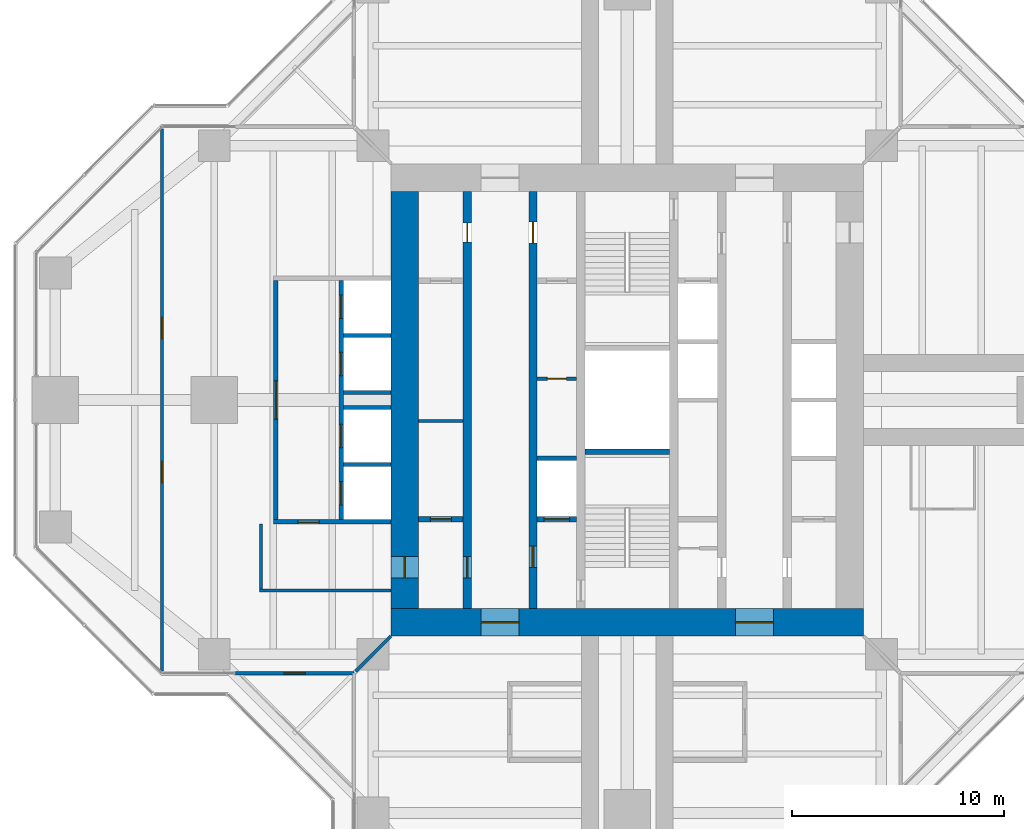
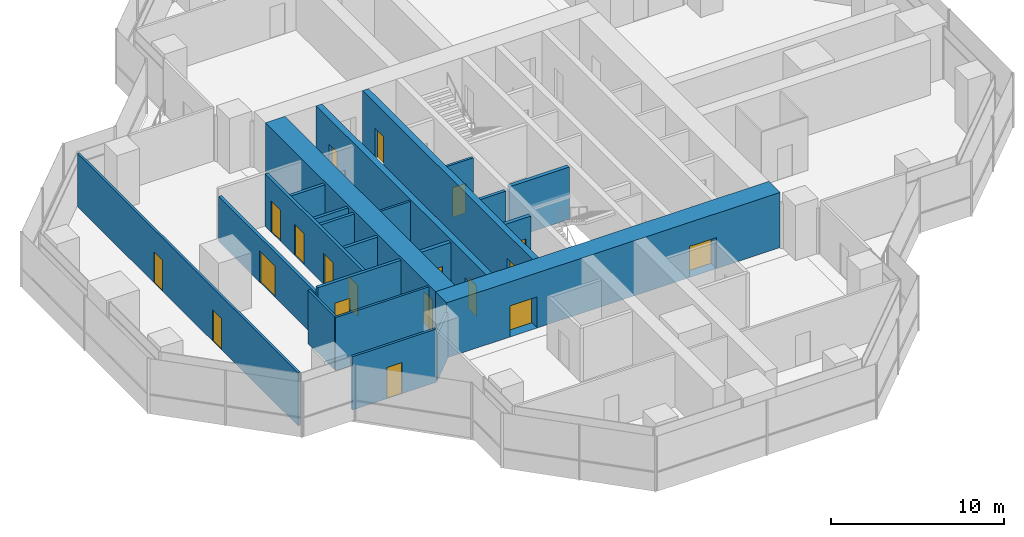
# One storey, part 13 of 17: 22 walls, 19 doors, 19 openings.
"""IFC4 building model written with IfcOpenShell, lengths in metres."""

from ifc_helpers import new_model, si_unit, direction, frame, frame_2d, origin, place, context, subcontext, project, spatial, rectangle, extrude, material, layer, layer_set, type_object, element, fill, save


model = new_model("IFC4")

# Units and contexts
model_context = context("Model", 3, precision=1e-05, world=origin(), true_north=direction((0.0, 1.0)))
body_context = subcontext(model_context, "Body", "Model", "MODEL_VIEW")
ifc_project = project(units=[si_unit("LENGTHUNIT", "METRE"), si_unit("AREAUNIT", "SQUARE_METRE"), si_unit("VOLUMEUNIT", "CUBIC_METRE"), si_unit("PLANEANGLEUNIT", "RADIAN"), si_unit("MASSUNIT", "GRAM", prefix="KILO")], contexts=[model_context])

# Site, building, storey
site_placement = place(None, origin())
site = spatial("IfcSite", under=ifc_project, at=site_placement, CompositionType="ELEMENT")
building_placement = place(site_placement, origin())
building = spatial("IfcBuilding", under=site, at=building_placement, Name="Mizan Broadcast Tower", CompositionType="ELEMENT")
storey_placement = place(building_placement, frame((0.0, 0.0, 216.60009765625)))
storey = spatial("IfcBuildingStorey", under=building, at=storey_placement, Name="L50", CompositionType="ELEMENT", Elevation=216.60009765625)

# Wall, openings, doors
ifc_material_1 = material(Name="Concrete C70/85", Category="concrete")
ifc_layer_1 = layer(ifc_material_1, 0.39990234375)
ifc_layer_set_1 = layer_set([ifc_layer_1], Name="Concrete C70/85")
wall_type_1 = type_object("IfcWallType", Name="CORE INTERNAL WALL 400", PredefinedType="SHEAR", material=ifc_layer_set_1)
wall_1_placement = place(storey_placement, frame((-7.550048828125, -9.85009765625, 0.0), z_axis=(0.0, 0.0, 1.0), x_axis=(0.0, 1.0, 0.0)))
wall_1 = element("IfcWall", 1, at=wall_1_placement, inside=storey, type_object=wall_type_1, Name="Core wall CORE/XW1", PredefinedType="SHEAR", context=body_context, shape_type="SweptSolid", body=[
    extrude(rectangle(XDim=19.7001953125, YDim=0.39990234375, at=frame_2d((9.85009765625, 0.0))), origin(), (0.0, 0.0, 1.0), 3.89990234375),
])
opening_1_placement = place(wall_1_placement, frame((1.449951171875, 0.0, 0.0)))
opening_1 = element("IfcOpeningElement", 2, at=opening_1_placement, cuts=wall_1, Name="Opening D10F", PredefinedType="OPENING", context=body_context, shape_type="SweptSolid", body=[
    extrude(rectangle(XDim=1.0, YDim=2.199951171875, at=frame_2d((0.5, 1.10009765625))), frame((0.0, 0.2099609375, 0.0), z_axis=(0.0, -1.0, 0.0), x_axis=(1.0, 0.0, 0.0)), (0.0, 0.0, 1.0), 0.419921875),
])
opening_2_placement = place(wall_1_placement, frame((17.300048828125, 0.0, 0.0)))
opening_2 = element("IfcOpeningElement", 3, at=opening_2_placement, cuts=wall_1, Name="Opening D09", PredefinedType="OPENING", context=body_context, shape_type="SweptSolid", body=[
    extrude(rectangle(XDim=0.89990234375, YDim=2.10009765625, at=frame_2d((0.449951171875, 1.050048828125))), frame((0.0, 0.2099609375, 0.0), z_axis=(0.0, -1.0, 0.0), x_axis=(1.0, 0.0, 0.0)), (0.0, 0.0, 1.0), 0.419921875),
])
ifc_material_2 = material(Name="Steel door leaf in steel frame", Category="steel")
door_type_1 = type_object("IfcDoorType", Name="FIRE DOOR 1000 FD90", OperationType="SINGLE_SWING_LEFT", PredefinedType="DOOR", material=ifc_material_2)
door_1_placement = place(opening_1_placement, origin())
door_1 = element("IfcDoor", 4, at=door_1_placement, inside=storey, type_object=door_type_1, Name="West core passage door", OperationType="SINGLE_SWING_LEFT", OverallHeight=2.199951171875, OverallWidth=1.0, PredefinedType="DOOR", context=body_context, shape_type="SweptSolid", body=[
    extrude(rectangle(XDim=1.0, YDim=2.199951171875, at=frame_2d((0.5, 1.10009765625))), frame((0.0, 0.02490234375, 0.0), z_axis=(0.0, -1.0, 0.0), x_axis=(1.0, 0.0, 0.0)), (0.0, 0.0, 1.0), 0.050048828125),
])
fill(opening_1, door_1)
ifc_material_3 = material(Name="Timber door leaf in aluminium frame", Category="wood")
door_type_2 = type_object("IfcDoorType", Name="TOILET DOOR 900", OperationType="SINGLE_SWING_LEFT", PredefinedType="DOOR", material=ifc_material_3)
door_2_placement = place(opening_2_placement, origin())
door_2 = element("IfcDoor", 5, at=door_2_placement, inside=storey, type_object=door_type_2, Name="Male WC door", OperationType="SINGLE_SWING_RIGHT", OverallHeight=2.10009765625, OverallWidth=0.89990234375, PredefinedType="DOOR", context=body_context, shape_type="SweptSolid", body=[
    extrude(rectangle(XDim=0.89990234375, YDim=2.10009765625, at=frame_2d((0.449951171875, 1.050048828125))), frame((0.0, 0.02490234375, 0.0), z_axis=(0.0, -1.0, 0.0), x_axis=(1.0, 0.0, 0.0)), (0.0, 0.0, 1.0), 0.050048828125),
])
fill(opening_2, door_2)

wall_2_placement = place(storey_placement, frame((-4.449951171875, -9.85009765625, 0.0), z_axis=(0.0, 0.0, 1.0), x_axis=(0.0, 1.0, 0.0)))
wall_2 = element("IfcWall", 6, at=wall_2_placement, inside=storey, type_object=wall_type_1, Name="Core wall CORE/XWH", PredefinedType="SHEAR", context=body_context, shape_type="SweptSolid", body=[
    extrude(rectangle(XDim=19.7001953125, YDim=0.39990234375, at=frame_2d((9.85009765625, 0.0))), origin(), (0.0, 0.0, 1.0), 3.89990234375),
])
opening_3_placement = place(wall_2_placement, frame((1.949951171875, 0.0, 0.0)))
opening_3 = element("IfcOpeningElement", 7, at=opening_3_placement, cuts=wall_2, Name="Opening D10F", PredefinedType="OPENING", context=body_context, shape_type="SweptSolid", body=[
    extrude(rectangle(XDim=1.0, YDim=2.199951171875, at=frame_2d((0.5, 1.10009765625))), frame((0.0, 0.2099609375, 0.0), z_axis=(0.0, -1.0, 0.0), x_axis=(1.0, 0.0, 0.0)), (0.0, 0.0, 1.0), 0.419921875),
])
opening_4_placement = place(wall_2_placement, frame((17.25, 0.0, 0.0)))
opening_4 = element("IfcOpeningElement", 8, at=opening_4_placement, cuts=wall_2, Name="Opening D10A", PredefinedType="OPENING", context=body_context, shape_type="SweptSolid", body=[
    extrude(rectangle(XDim=1.0, YDim=2.10009765625, at=frame_2d((0.5, 1.050048828125))), frame((0.0, 0.2099609375, 0.0), z_axis=(0.0, -1.0, 0.0), x_axis=(1.0, 0.0, 0.0)), (0.0, 0.0, 1.0), 0.419921875),
])
ifc_material_4 = material(Name="Timber door leaf in aluminium frame", Category="wood")
door_type_3 = type_object("IfcDoorType", Name="ACCESSIBLE WC DOOR 1000", OperationType="SLIDING_TO_LEFT", PredefinedType="DOOR", material=ifc_material_4)
door_3_placement = place(opening_4_placement, origin())
door_3 = element("IfcDoor", 9, at=door_3_placement, inside=storey, type_object=door_type_3, Name="Accessible WC door", OperationType="SLIDING_TO_LEFT", OverallHeight=2.10009765625, OverallWidth=1.0, PredefinedType="DOOR", context=body_context, shape_type="SweptSolid", body=[
    extrude(rectangle(XDim=1.0, YDim=2.10009765625, at=frame_2d((0.5, 1.050048828125))), frame((0.0, 0.02490234375, 0.0), z_axis=(0.0, -1.0, 0.0), x_axis=(1.0, 0.0, 0.0)), (0.0, 0.0, 1.0), 0.050048828125),
])
fill(opening_4, door_3)
door_4_placement = place(opening_3_placement, origin())
door_4 = element("IfcDoor", 10, at=door_4_placement, inside=storey, type_object=door_type_1, Name="Firefighting lobby A door", OperationType="SINGLE_SWING_LEFT", OverallHeight=2.199951171875, OverallWidth=1.0, PredefinedType="DOOR", context=body_context, shape_type="SweptSolid", body=[
    extrude(rectangle(XDim=1.0, YDim=2.199951171875, at=frame_2d((0.5, 1.10009765625))), frame((0.0, 0.02490234375, 0.0), z_axis=(0.0, -1.0, 0.0), x_axis=(1.0, 0.0, 0.0)), (0.0, 0.0, 1.0), 0.050048828125),
])
fill(opening_3, door_4)

# Wall
ifc_material_5 = material(Name="Concrete blockwork", Category="masonry")
ifc_layer_2 = layer(ifc_material_5, 0.14990234375)
ifc_layer_set_2 = layer_set([ifc_layer_2], Name="Concrete blockwork")
wall_type_2 = type_object("IfcWallType", Name="CORE PARTITION 150", PredefinedType="SOLIDWALL", material=ifc_layer_set_2)
wall_3_placement = place(storey_placement, frame((-9.85009765625, -1.0, 0.0), z_axis=(0.0, 0.0, 1.0), x_axis=(1.0, 0.0, 0.0)))
element("IfcWall", 11, at=wall_3_placement, inside=storey, type_object=wall_type_2, Name="Core partition CORE/XP1", PredefinedType="SOLIDWALL", context=body_context, shape_type="SweptSolid", body=[
    extrude(rectangle(XDim=2.10009765625, YDim=0.14990234375, at=frame_2d((1.050048828125, 0.0))), origin(), (0.0, 0.0, 1.0), 3.77001953125),
])

# Wall, opening, door
wall_4_placement = place(storey_placement, frame((-4.25, 1.0, 0.0), z_axis=(0.0, 0.0, 1.0), x_axis=(1.0, 0.0, 0.0)))
wall_4 = element("IfcWall", 12, at=wall_4_placement, inside=storey, type_object=wall_type_2, Name="Core partition CORE/XP2", PredefinedType="SOLIDWALL", context=body_context, shape_type="SweptSolid", body=[
    extrude(rectangle(XDim=1.85009765625, YDim=0.14990234375, at=frame_2d((0.925048828125, 0.0))), origin(), (0.0, 0.0, 1.0), 3.77001953125),
])
opening_5_placement = place(wall_4_placement, frame((0.47509765625, 0.0, 0.0)))
opening_5 = element("IfcOpeningElement", 13, at=opening_5_placement, cuts=wall_4, Name="Opening D09F", PredefinedType="OPENING", context=body_context, shape_type="SweptSolid", body=[
    extrude(rectangle(XDim=0.89990234375, YDim=2.10009765625, at=frame_2d((0.449951171875, 1.050048828125))), frame((0.0, 0.0849609375, 0.0), z_axis=(0.0, -1.0, 0.0), x_axis=(1.0, 0.0, 0.0)), (0.0, 0.0, 1.0), 0.169921875),
])
ifc_material_6 = material(Name="Steel door leaf in steel frame", Category="steel")
door_type_4 = type_object("IfcDoorType", Name="CORE ROOM DOOR 900 FD90", OperationType="SINGLE_SWING_LEFT", PredefinedType="DOOR", material=ifc_material_6)
door_5_placement = place(opening_5_placement, origin())
door_5 = element("IfcDoor", 14, at=door_5_placement, inside=storey, type_object=door_type_4, Name="Accessible changing room door", OperationType="SINGLE_SWING_RIGHT", OverallHeight=2.10009765625, OverallWidth=0.89990234375, PredefinedType="DOOR", context=body_context, shape_type="SweptSolid", body=[
    extrude(rectangle(XDim=0.89990234375, YDim=2.10009765625, at=frame_2d((0.449951171875, 1.050048828125))), frame((0.0, 0.02490234375, 0.0), z_axis=(0.0, -1.0, 0.0), x_axis=(1.0, 0.0, 0.0)), (0.0, 0.0, 1.0), 0.050048828125),
])
fill(opening_5, door_5)

# Wall, openings, doors
ifc_material_7 = material(Name="Concrete C70/85", Category="concrete")
ifc_layer_3 = layer(ifc_material_7, 1.300048828125)
ifc_layer_set_3 = layer_set([ifc_layer_3], Name="Concrete C70/85")
wall_type_3 = type_object("IfcWallType", Name="CORE WALL 1300", PredefinedType="SHEAR", material=ifc_layer_set_3)
wall_5_placement = place(storey_placement, frame((11.14990234375, -10.5, 0.0), z_axis=(0.0, 0.0, 1.0), x_axis=(-1.0, 0.0, 0.0)))
wall_5 = element("IfcWall", 15, at=wall_5_placement, inside=storey, type_object=wall_type_3, Name="Core wall S L50", PredefinedType="SHEAR", context=body_context, shape_type="SweptSolid", body=[
    extrude(rectangle(XDim=22.2998046875, YDim=1.300048828125, at=frame_2d((11.14990234375, 0.0))), origin(), (0.0, 0.0, 1.0), 3.89990234375),
])
opening_6_placement = place(wall_5_placement, frame((16.25, 0.0, 0.0)))
opening_6 = element("IfcOpeningElement", 16, at=opening_6_placement, cuts=wall_5, Name="Opening D18F", PredefinedType="OPENING", context=body_context, shape_type="SweptSolid", body=[
    extrude(rectangle(XDim=1.800048828125, YDim=2.199951171875, at=frame_2d((0.89990234375, 1.10009765625))), frame((0.0, 0.659912109375, 0.0), z_axis=(0.0, -1.0, 0.0), x_axis=(1.0, 0.0, 0.0)), (0.0, 0.0, 1.0), 1.320068359375),
])
opening_7_placement = place(wall_5_placement, frame((4.25, 0.0, 0.0)))
opening_7 = element("IfcOpeningElement", 17, at=opening_7_placement, cuts=wall_5, Name="Opening D18F", PredefinedType="OPENING", context=body_context, shape_type="SweptSolid", body=[
    extrude(rectangle(XDim=1.800048828125, YDim=2.199951171875, at=frame_2d((0.89990234375, 1.10009765625))), frame((0.0, 0.659912109375, 0.0), z_axis=(0.0, -1.0, 0.0), x_axis=(1.0, 0.0, 0.0)), (0.0, 0.0, 1.0), 1.320068359375),
])
ifc_material_8 = material(Name="Steel door leaf in steel frame", Category="steel")
door_type_5 = type_object("IfcDoorType", Name="LOBBY DOUBLE DOOR 1800 FD90", OperationType="DOUBLE_DOOR_DOUBLE_SWING", PredefinedType="DOOR", material=ifc_material_8)
door_6_placement = place(opening_6_placement, origin())
door_6 = element("IfcDoor", 18, at=door_6_placement, inside=storey, type_object=door_type_5, Name="West lift lobby south door", OperationType="DOUBLE_DOOR_DOUBLE_SWING", OverallHeight=2.199951171875, OverallWidth=1.800048828125, PredefinedType="DOOR", context=body_context, shape_type="SweptSolid", body=[
    extrude(rectangle(XDim=1.800048828125, YDim=2.199951171875, at=frame_2d((0.89990234375, 1.10009765625))), frame((0.0, 0.02490234375, 0.0), z_axis=(0.0, -1.0, 0.0), x_axis=(1.0, 0.0, 0.0)), (0.0, 0.0, 1.0), 0.050048828125),
])
fill(opening_6, door_6)
door_7_placement = place(opening_7_placement, origin())
door_7 = element("IfcDoor", 19, at=door_7_placement, inside=storey, type_object=door_type_5, Name="East lift lobby south door", OperationType="DOUBLE_DOOR_DOUBLE_SWING", OverallHeight=2.199951171875, OverallWidth=1.800048828125, PredefinedType="DOOR", context=body_context, shape_type="SweptSolid", body=[
    extrude(rectangle(XDim=1.800048828125, YDim=2.199951171875, at=frame_2d((0.89990234375, 1.10009765625))), frame((0.0, 0.02490234375, 0.0), z_axis=(0.0, -1.0, 0.0), x_axis=(1.0, 0.0, 0.0)), (0.0, 0.0, 1.0), 0.050048828125),
])
fill(opening_7, door_7)

# Wall, opening, door
wall_6_placement = place(storey_placement, frame((-10.5, 9.85009765625, 0.0), z_axis=(0.0, 0.0, 1.0), x_axis=(0.0, -1.0, 0.0)))
wall_6 = element("IfcWall", 20, at=wall_6_placement, inside=storey, type_object=wall_type_3, Name="Core wall W L50", PredefinedType="SHEAR", context=body_context, shape_type="SweptSolid", body=[
    extrude(rectangle(XDim=19.7001953125, YDim=1.300048828125, at=frame_2d((9.85009765625, 0.0))), origin(), (0.0, 0.0, 1.0), 3.89990234375),
])
opening_8_placement = place(wall_6_placement, frame((17.25, 0.0, 0.0)))
opening_8 = element("IfcOpeningElement", 21, at=opening_8_placement, cuts=wall_6, Name="Opening D10F", PredefinedType="OPENING", context=body_context, shape_type="SweptSolid", body=[
    extrude(rectangle(XDim=1.0, YDim=2.199951171875, at=frame_2d((0.5, 1.10009765625))), frame((0.0, 0.659912109375, 0.0), z_axis=(0.0, -1.0, 0.0), x_axis=(1.0, 0.0, 0.0)), (0.0, 0.0, 1.0), 1.320068359375),
])
door_8_placement = place(opening_8_placement, origin())
door_8 = element("IfcDoor", 22, at=door_8_placement, inside=storey, type_object=door_type_1, Name="West core passage arm door", OperationType="SINGLE_SWING_RIGHT", OverallHeight=2.199951171875, OverallWidth=1.0, PredefinedType="DOOR", context=body_context, shape_type="SweptSolid", body=[
    extrude(rectangle(XDim=1.0, YDim=2.199951171875, at=frame_2d((0.5, 1.10009765625))), frame((0.0, 0.02490234375, 0.0), z_axis=(0.0, -1.0, 0.0), x_axis=(1.0, 0.0, 0.0)), (0.0, 0.0, 1.0), 0.050048828125),
])
fill(opening_8, door_8)

ifc_material_9 = material(Name="Aluminium framed glazed screen", Category="aluminium")
ifc_layer_4 = layer(ifc_material_9, 0.159912109375)
ifc_layer_set_4 = layer_set([ifc_layer_4], Name="Aluminium framed glazed screen")
wall_type_4 = type_object("IfcWallType", Name="GLAZED SCREEN WALL 160", PredefinedType="SOLIDWALL", material=ifc_layer_set_4)
wall_7_placement = place(storey_placement, frame((-18.5, -12.89990234375, 0.0), z_axis=(0.0, 0.0, 1.0), x_axis=(1.0, 0.0, 0.0)))
wall_7 = element("IfcWall", 23, at=wall_7_placement, inside=storey, type_object=wall_type_4, Name="Winter garden screen L50 W", PredefinedType="SOLIDWALL", context=body_context, shape_type="SweptSolid", body=[
    extrude(rectangle(XDim=5.60009765625, YDim=0.159912109375, at=frame_2d((2.800048828125, 0.0))), origin(), (0.0, 0.0, 1.0), 3.77001953125),
])
opening_9_placement = place(wall_7_placement, frame((2.300048828125, 0.0, 0.0)))
opening_9 = element("IfcOpeningElement", 24, at=opening_9_placement, cuts=wall_7, Name="Opening WGD", PredefinedType="OPENING", context=body_context, shape_type="SweptSolid", body=[
    extrude(rectangle(XDim=1.0, YDim=2.199951171875, at=frame_2d((0.5, 1.10009765625))), frame((0.0, 0.08984375, 0.0), z_axis=(0.0, -1.0, 0.0), x_axis=(1.0, 0.0, 0.0)), (0.0, 0.0, 1.0), 0.179931640625),
])
ifc_material_10 = material(Name="Aluminium framed glazed door", Category="aluminium")
door_type_6 = type_object("IfcDoorType", Name="WINTER GARDEN DOOR 1000 GLAZED", OperationType="SINGLE_SWING_LEFT", PredefinedType="DOOR", material=ifc_material_10)
door_9_placement = place(opening_9_placement, origin())
door_9 = element("IfcDoor", 25, at=door_9_placement, inside=storey, type_object=door_type_6, Name="Winter garden door L50 W", OperationType="SINGLE_SWING_RIGHT", OverallHeight=2.199951171875, OverallWidth=1.0, PredefinedType="DOOR", context=body_context, shape_type="SweptSolid", body=[
    extrude(rectangle(XDim=1.0, YDim=2.199951171875, at=frame_2d((0.5, 1.10009765625))), frame((0.0, 0.02490234375, 0.0), z_axis=(0.0, -1.0, 0.0), x_axis=(1.0, 0.0, 0.0)), (0.0, 0.0, 1.0), 0.050048828125),
])
fill(opening_9, door_9)

# Wall
ifc_material_11 = material(Name="Concrete blockwork", Category="masonry")
ifc_layer_5 = layer(ifc_material_11, 0.199951171875)
ifc_layer_set_5 = layer_set([ifc_layer_5], Name="Concrete blockwork")
wall_type_5 = type_object("IfcWallType", Name="LIFT SHAFT WALL 200", PredefinedType="SOLIDWALL", material=ifc_layer_set_5)
wall_8_placement = place(storey_placement, frame((-4.25, -2.75, 0.0), z_axis=(0.0, 0.0, 1.0), x_axis=(1.0, 0.0, 0.0)))
element("IfcWall", 26, at=wall_8_placement, inside=storey, type_object=wall_type_5, Name="Lift shaft wall CORE/SW2-1", PredefinedType="SOLIDWALL", context=body_context, shape_type="SweptSolid", body=[
    extrude(rectangle(XDim=1.85009765625, YDim=0.199951171875, at=frame_2d((0.925048828125, 0.0))), origin(), (0.0, 0.0, 1.0), 3.699951171875),
])

# Wall, openings, doors
wall_9_placement = place(storey_placement, frame((-13.5, 5.64990234375, 0.0), z_axis=(0.0, 0.0, 1.0), x_axis=(0.0, -1.0, 0.0)))
wall_9 = element("IfcWall", 27, at=wall_9_placement, inside=storey, type_object=wall_type_5, Name="Lift shaft wall LC/F", PredefinedType="SOLIDWALL", context=body_context, shape_type="SweptSolid", body=[
    extrude(rectangle(XDim=11.2998046875, YDim=0.199951171875, at=frame_2d((5.64990234375, 0.0))), origin(), (0.0, 0.0, 1.0), 3.699951171875),
])
opening_10_placement = place(wall_9_placement, frame((0.699951171875, 0.0, 0.0)))
opening_10 = element("IfcOpeningElement", 28, at=opening_10_placement, cuts=wall_9, Name="Opening LD", PredefinedType="OPENING", context=body_context, shape_type="SweptSolid", body=[
    extrude(rectangle(XDim=1.10009765625, YDim=2.199951171875, at=frame_2d((0.550048828125, 1.10009765625))), frame((0.0, 0.10986328125, 0.0), z_axis=(0.0, -1.0, 0.0), x_axis=(1.0, 0.0, 0.0)), (0.0, 0.0, 1.0), 0.219970703125),
])
opening_11_placement = place(wall_9_placement, frame((3.39990234375, 0.0, 0.0)))
opening_11 = element("IfcOpeningElement", 29, at=opening_11_placement, cuts=wall_9, Name="Opening LD", PredefinedType="OPENING", context=body_context, shape_type="SweptSolid", body=[
    extrude(rectangle(XDim=1.10009765625, YDim=2.199951171875, at=frame_2d((0.550048828125, 1.10009765625))), frame((0.0, 0.10986328125, 0.0), z_axis=(0.0, -1.0, 0.0), x_axis=(1.0, 0.0, 0.0)), (0.0, 0.0, 1.0), 0.219970703125),
])
opening_12_placement = place(wall_9_placement, frame((6.800048828125, 0.0, 0.0)))
opening_12 = element("IfcOpeningElement", 30, at=opening_12_placement, cuts=wall_9, Name="Opening LD", PredefinedType="OPENING", context=body_context, shape_type="SweptSolid", body=[
    extrude(rectangle(XDim=1.10009765625, YDim=2.199951171875, at=frame_2d((0.550048828125, 1.10009765625))), frame((0.0, 0.10986328125, 0.0), z_axis=(0.0, -1.0, 0.0), x_axis=(1.0, 0.0, 0.0)), (0.0, 0.0, 1.0), 0.219970703125),
])
opening_13_placement = place(wall_9_placement, frame((9.5, 0.0, 0.0)))
opening_13 = element("IfcOpeningElement", 31, at=opening_13_placement, cuts=wall_9, Name="Opening LD", PredefinedType="OPENING", context=body_context, shape_type="SweptSolid", body=[
    extrude(rectangle(XDim=1.10009765625, YDim=2.199951171875, at=frame_2d((0.550048828125, 1.10009765625))), frame((0.0, 0.10986328125, 0.0), z_axis=(0.0, -1.0, 0.0), x_axis=(1.0, 0.0, 0.0)), (0.0, 0.0, 1.0), 0.219970703125),
])
ifc_material_12 = material(Name="Steel door leaf in steel frame", Category="steel")
door_type_7 = type_object("IfcDoorType", Name="LIFT LANDING DOOR 1100", OperationType="SLIDING_TO_LEFT", PredefinedType="DOOR", material=ifc_material_12)
door_10_placement = place(opening_10_placement, origin())
door_10 = element("IfcDoor", 32, at=door_10_placement, inside=storey, type_object=door_type_7, Name="Landing door LC1", OperationType="SLIDING_TO_LEFT", OverallHeight=2.199951171875, OverallWidth=1.10009765625, PredefinedType="DOOR", context=body_context, shape_type="SweptSolid", body=[
    extrude(rectangle(XDim=1.10009765625, YDim=2.199951171875, at=frame_2d((0.550048828125, 1.10009765625))), frame((0.0, 0.02490234375, 0.0), z_axis=(0.0, -1.0, 0.0), x_axis=(1.0, 0.0, 0.0)), (0.0, 0.0, 1.0), 0.050048828125),
])
fill(opening_10, door_10)
door_11_placement = place(opening_11_placement, origin())
door_11 = element("IfcDoor", 33, at=door_11_placement, inside=storey, type_object=door_type_7, Name="Landing door LC2", OperationType="SLIDING_TO_LEFT", OverallHeight=2.199951171875, OverallWidth=1.10009765625, PredefinedType="DOOR", context=body_context, shape_type="SweptSolid", body=[
    extrude(rectangle(XDim=1.10009765625, YDim=2.199951171875, at=frame_2d((0.550048828125, 1.10009765625))), frame((0.0, 0.02490234375, 0.0), z_axis=(0.0, -1.0, 0.0), x_axis=(1.0, 0.0, 0.0)), (0.0, 0.0, 1.0), 0.050048828125),
])
fill(opening_11, door_11)
door_12_placement = place(opening_12_placement, origin())
door_12 = element("IfcDoor", 34, at=door_12_placement, inside=storey, type_object=door_type_7, Name="Landing door LC3", OperationType="SLIDING_TO_LEFT", OverallHeight=2.199951171875, OverallWidth=1.10009765625, PredefinedType="DOOR", context=body_context, shape_type="SweptSolid", body=[
    extrude(rectangle(XDim=1.10009765625, YDim=2.199951171875, at=frame_2d((0.550048828125, 1.10009765625))), frame((0.0, 0.02490234375, 0.0), z_axis=(0.0, -1.0, 0.0), x_axis=(1.0, 0.0, 0.0)), (0.0, 0.0, 1.0), 0.050048828125),
])
fill(opening_12, door_12)
door_13_placement = place(opening_13_placement, origin())
door_13 = element("IfcDoor", 35, at=door_13_placement, inside=storey, type_object=door_type_7, Name="Landing door LC4", OperationType="SLIDING_TO_LEFT", OverallHeight=2.199951171875, OverallWidth=1.10009765625, PredefinedType="DOOR", context=body_context, shape_type="SweptSolid", body=[
    extrude(rectangle(XDim=1.10009765625, YDim=2.199951171875, at=frame_2d((0.550048828125, 1.10009765625))), frame((0.0, 0.02490234375, 0.0), z_axis=(0.0, -1.0, 0.0), x_axis=(1.0, 0.0, 0.0)), (0.0, 0.0, 1.0), 0.050048828125),
])
fill(opening_13, door_13)

# Wall, opening, door
wall_10_placement = place(storey_placement, frame((-11.14990234375, -5.75, 0.0), z_axis=(0.0, 0.0, 1.0), x_axis=(-1.0, 0.0, 0.0)))
wall_10 = element("IfcWall", 36, at=wall_10_placement, inside=storey, type_object=wall_type_5, Name="Lift shaft wall LC/S2", PredefinedType="SOLIDWALL", context=body_context, shape_type="SweptSolid", body=[
    extrude(rectangle(XDim=5.550048828125, YDim=0.199951171875, at=frame_2d((2.77490234375, 0.0))), origin(), (0.0, 0.0, 1.0), 3.699951171875),
])
opening_14_placement = place(wall_10_placement, frame((3.39990234375, 0.0, 0.0)))
opening_14 = element("IfcOpeningElement", 37, at=opening_14_placement, cuts=wall_10, Name="Opening D10F", PredefinedType="OPENING", context=body_context, shape_type="SweptSolid", body=[
    extrude(rectangle(XDim=1.0, YDim=2.199951171875, at=frame_2d((0.5, 1.10009765625))), frame((0.0, 0.10986328125, 0.0), z_axis=(0.0, -1.0, 0.0), x_axis=(1.0, 0.0, 0.0)), (0.0, 0.0, 1.0), 0.219970703125),
])
door_14_placement = place(opening_14_placement, origin())
door_14 = element("IfcDoor", 38, at=door_14_placement, inside=storey, type_object=door_type_1, Name="High-rise lobby corridor door", OperationType="SINGLE_SWING_RIGHT", OverallHeight=2.199951171875, OverallWidth=1.0, PredefinedType="DOOR", context=body_context, shape_type="SweptSolid", body=[
    extrude(rectangle(XDim=1.0, YDim=2.199951171875, at=frame_2d((0.5, 1.10009765625))), frame((0.0, 0.02490234375, 0.0), z_axis=(0.0, -1.0, 0.0), x_axis=(1.0, 0.0, 0.0)), (0.0, 0.0, 1.0), 0.050048828125),
])
fill(opening_14, door_14)

# Walls
for number, where, z_axis, x_axis, name in (
    (39, (-11.14990234375, 3.050048828125, 0.0), (0.0, 0.0, 1.0), (-1.0, 0.0, 0.0), "Lift shaft wall LC/SP1"),
    (40, (-11.14990234375, 0.35009765625, 0.0), (0.0, 0.0, 1.0), (-1.0, 0.0, 0.0), "Lift shaft wall LC/SP2"),
    (41, (-11.14990234375, -0.35009765625, 0.0), (0.0, 0.0, 1.0), (-1.0, 0.0, 0.0), "Lift shaft wall LC/SP3"),
    (42, (-11.14990234375, -3.050048828125, 0.0), (0.0, 0.0, 1.0), (-1.0, 0.0, 0.0), "Lift shaft wall LC/SP4"),
):
    element("IfcWall", number, at=place(storey_placement, frame(where, z_axis=z_axis, x_axis=x_axis)), inside=storey, type_object=wall_type_5, Name=name, PredefinedType="SOLIDWALL", context=body_context, shape_type="SweptSolid", body=[
        extrude(rectangle(XDim=2.25, YDim=0.199951171875, at=frame_2d((1.125, 0.0))), origin(), (0.0, 0.0, 1.0), 3.699951171875),
    ])

# Wall, opening, door
ifc_material_13 = material(Name="Concrete blockwork", Category="masonry")
ifc_layer_6 = layer(ifc_material_13, 0.25)
ifc_layer_set_6 = layer_set([ifc_layer_6], Name="Concrete blockwork")
wall_type_6 = type_object("IfcWallType", Name="LOBBY ENCLOSURE WALL 250", PredefinedType="SOLIDWALL", material=ifc_layer_set_6)
wall_11_placement = place(storey_placement, frame((-9.85009765625, -5.625, 0.0), z_axis=(0.0, 0.0, 1.0), x_axis=(1.0, 0.0, 0.0)))
wall_11 = element("IfcWall", 43, at=wall_11_placement, inside=storey, type_object=wall_type_6, Name="Lobby enclosure wall CORE/BW1S", PredefinedType="SOLIDWALL", context=body_context, shape_type="SweptSolid", body=[
    extrude(rectangle(XDim=2.10009765625, YDim=0.25, at=frame_2d((1.050048828125, 0.0))), origin(), (0.0, 0.0, 1.0), 3.699951171875),
])
opening_15_placement = place(wall_11_placement, frame((0.550048828125, 0.0, 0.0)))
opening_15 = element("IfcOpeningElement", 44, at=opening_15_placement, cuts=wall_11, Name="Opening D10F", PredefinedType="OPENING", context=body_context, shape_type="SweptSolid", body=[
    extrude(rectangle(XDim=1.0, YDim=2.199951171875, at=frame_2d((0.5, 1.10009765625))), frame((0.0, 0.135009765625, 0.0), z_axis=(0.0, -1.0, 0.0), x_axis=(1.0, 0.0, 0.0)), (0.0, 0.0, 1.0), 0.27001953125),
])
door_15_placement = place(opening_15_placement, origin())
door_15 = element("IfcDoor", 45, at=door_15_placement, inside=storey, type_object=door_type_1, Name="Housekeeping store door", OperationType="SINGLE_SWING_RIGHT", OverallHeight=2.199951171875, OverallWidth=1.0, PredefinedType="DOOR", context=body_context, shape_type="SweptSolid", body=[
    extrude(rectangle(XDim=1.0, YDim=2.199951171875, at=frame_2d((0.5, 1.10009765625))), frame((0.0, 0.02490234375, 0.0), z_axis=(0.0, -1.0, 0.0), x_axis=(1.0, 0.0, 0.0)), (0.0, 0.0, 1.0), 0.050048828125),
])
fill(opening_15, door_15)

wall_12_placement = place(storey_placement, frame((-4.25, -5.625, 0.0), z_axis=(0.0, 0.0, 1.0), x_axis=(1.0, 0.0, 0.0)))
wall_12 = element("IfcWall", 46, at=wall_12_placement, inside=storey, type_object=wall_type_6, Name="Lobby enclosure wall CORE/BW2S", PredefinedType="SOLIDWALL", context=body_context, shape_type="SweptSolid", body=[
    extrude(rectangle(XDim=1.85009765625, YDim=0.25, at=frame_2d((0.925048828125, 0.0))), origin(), (0.0, 0.0, 1.0), 3.699951171875),
])
opening_16_placement = place(wall_12_placement, frame((0.324951171875, 0.0, 0.0)))
opening_16 = element("IfcOpeningElement", 47, at=opening_16_placement, cuts=wall_12, Name="Opening LDF", PredefinedType="OPENING", context=body_context, shape_type="SweptSolid", body=[
    extrude(rectangle(XDim=1.199951171875, YDim=2.199951171875, at=frame_2d((0.60009765625, 1.10009765625))), frame((0.0, 0.135009765625, 0.0), z_axis=(0.0, -1.0, 0.0), x_axis=(1.0, 0.0, 0.0)), (0.0, 0.0, 1.0), 0.27001953125),
])
ifc_material_14 = material(Name="Steel door leaf in steel frame", Category="steel")
door_type_8 = type_object("IfcDoorType", Name="FIREFIGHTING LIFT LANDING DOOR 1200", OperationType="SLIDING_TO_LEFT", PredefinedType="DOOR", material=ifc_material_14)
door_16_placement = place(opening_16_placement, origin())
door_16 = element("IfcDoor", 48, at=door_16_placement, inside=storey, type_object=door_type_8, Name="Landing door FF1", OperationType="SLIDING_TO_LEFT", OverallHeight=2.199951171875, OverallWidth=1.199951171875, PredefinedType="DOOR", context=body_context, shape_type="SweptSolid", body=[
    extrude(rectangle(XDim=1.199951171875, YDim=2.199951171875, at=frame_2d((0.60009765625, 1.10009765625))), frame((0.0, 0.02490234375, 0.0), z_axis=(0.0, -1.0, 0.0), x_axis=(1.0, 0.0, 0.0)), (0.0, 0.0, 1.0), 0.050048828125),
])
fill(opening_16, door_16)

# Wall
wall_13_placement = place(storey_placement, frame((-2.0, -2.449951171875, 0.0), z_axis=(0.0, 0.0, 1.0), x_axis=(1.0, 0.0, 0.0)))
element("IfcWall", 49, at=wall_13_placement, inside=storey, type_object=wall_type_6, Name="Lobby enclosure wall CORE/STA", PredefinedType="SOLIDWALL", context=body_context, shape_type="SweptSolid", body=[
    extrude(rectangle(XDim=4.0, YDim=0.25, at=frame_2d((2.0, 0.0))), origin(), (0.0, 0.0, 1.0), 3.699951171875),
])

# Wall, opening, door
wall_14_placement = place(storey_placement, frame((-16.60009765625, 5.64990234375, 0.0), z_axis=(0.0, 0.0, 1.0), x_axis=(0.0, -1.0, 0.0)))
wall_14 = element("IfcWall", 50, at=wall_14_placement, inside=storey, type_object=wall_type_6, Name="Lobby enclosure wall LC/LF", PredefinedType="SOLIDWALL", context=body_context, shape_type="SweptSolid", body=[
    extrude(rectangle(XDim=11.2998046875, YDim=0.199951171875, at=frame_2d((5.64990234375, 0.0))), origin(), (0.0, 0.0, 1.0), 3.179931640625),
])
opening_17_placement = place(wall_14_placement, frame((4.75, 0.0, 0.0)))
opening_17 = element("IfcOpeningElement", 51, at=opening_17_placement, cuts=wall_14, Name="Opening D18F", PredefinedType="OPENING", context=body_context, shape_type="SweptSolid", body=[
    extrude(rectangle(XDim=1.800048828125, YDim=2.199951171875, at=frame_2d((0.89990234375, 1.10009765625))), frame((0.0, 0.10986328125, 0.0), z_axis=(0.0, -1.0, 0.0), x_axis=(1.0, 0.0, 0.0)), (0.0, 0.0, 1.0), 0.219970703125),
])
door_17_placement = place(opening_17_placement, origin())
door_17 = element("IfcDoor", 52, at=door_17_placement, inside=storey, type_object=door_type_5, Name="High-rise lift lobby door", OperationType="DOUBLE_DOOR_DOUBLE_SWING", OverallHeight=2.199951171875, OverallWidth=1.800048828125, PredefinedType="DOOR", context=body_context, shape_type="SweptSolid", body=[
    extrude(rectangle(XDim=1.800048828125, YDim=2.199951171875, at=frame_2d((0.89990234375, 1.10009765625))), frame((0.0, 0.02490234375, 0.0), z_axis=(0.0, -1.0, 0.0), x_axis=(1.0, 0.0, 0.0)), (0.0, 0.0, 1.0), 0.050048828125),
])
fill(opening_17, door_17)

# Wall, openings, doors
ifc_material_15 = material(Name="Gypsum board on steel studs", Category="steel")
ifc_layer_7 = layer(ifc_material_15, 0.14990234375)
ifc_layer_set_7 = layer_set([ifc_layer_7], Name="Gypsum board on steel studs")
wall_type_7 = type_object("IfcWallType", Name="PARTITION 150", PredefinedType="PARTITIONING", material=ifc_layer_set_7)
wall_15_placement = place(storey_placement, frame((-21.958984375, 12.786376953125, 0.0), z_axis=(0.0, 0.0, 1.0), x_axis=(0.0, -1.0, 0.0)))
wall_15 = element("IfcWall", 53, at=wall_15_placement, inside=storey, type_object=wall_type_7, Name="Partition PT/WX1", PredefinedType="PARTITIONING", context=body_context, shape_type="SweptSolid", body=[
    extrude(rectangle(XDim=25.57275390625, YDim=0.14990234375, at=frame_2d((12.786376953125, 0.0))), origin(), (0.0, 0.0, 1.0), 3.77001953125),
])
opening_18_placement = place(wall_15_placement, frame((15.6865234375, 0.0, 0.0)))
opening_18 = element("IfcOpeningElement", 54, at=opening_18_placement, cuts=wall_15, Name="Opening D10", PredefinedType="OPENING", context=body_context, shape_type="SweptSolid", body=[
    extrude(rectangle(XDim=1.0, YDim=2.199951171875, at=frame_2d((0.5, 1.10009765625))), frame((0.0, 0.0849609375, 0.0), z_axis=(0.0, -1.0, 0.0), x_axis=(1.0, 0.0, 0.0)), (0.0, 0.0, 1.0), 0.169921875),
])
opening_19_placement = place(wall_15_placement, frame((8.886474609375, 0.0, 0.0)))
opening_19 = element("IfcOpeningElement", 55, at=opening_19_placement, cuts=wall_15, Name="Opening D10", PredefinedType="OPENING", context=body_context, shape_type="SweptSolid", body=[
    extrude(rectangle(XDim=1.0, YDim=2.199951171875, at=frame_2d((0.5, 1.10009765625))), frame((0.0, 0.0849609375, 0.0), z_axis=(0.0, -1.0, 0.0), x_axis=(1.0, 0.0, 0.0)), (0.0, 0.0, 1.0), 0.169921875),
])
ifc_material_16 = material(Name="Timber door leaf in aluminium frame", Category="wood")
door_type_9 = type_object("IfcDoorType", Name="ROOM DOOR 1000", OperationType="SINGLE_SWING_LEFT", PredefinedType="DOOR", material=ifc_material_16)
door_18_placement = place(opening_18_placement, origin())
door_18 = element("IfcDoor", 56, at=door_18_placement, inside=storey, type_object=door_type_9, Name="Statistics room door", OperationType="SINGLE_SWING_RIGHT", OverallHeight=2.199951171875, OverallWidth=1.0, PredefinedType="DOOR", context=body_context, shape_type="SweptSolid", body=[
    extrude(rectangle(XDim=1.0, YDim=2.199951171875, at=frame_2d((0.5, 1.10009765625))), frame((0.0, 0.02490234375, 0.0), z_axis=(0.0, -1.0, 0.0), x_axis=(1.0, 0.0, 0.0)), (0.0, 0.0, 1.0), 0.050048828125),
])
fill(opening_18, door_18)
door_19_placement = place(opening_19_placement, origin())
door_19 = element("IfcDoor", 57, at=door_19_placement, inside=storey, type_object=door_type_9, Name="Statistics room door", OperationType="SINGLE_SWING_LEFT", OverallHeight=2.199951171875, OverallWidth=1.0, PredefinedType="DOOR", context=body_context, shape_type="SweptSolid", body=[
    extrude(rectangle(XDim=1.0, YDim=2.199951171875, at=frame_2d((0.5, 1.10009765625))), frame((0.0, 0.02490234375, 0.0), z_axis=(0.0, -1.0, 0.0), x_axis=(1.0, 0.0, 0.0)), (0.0, 0.0, 1.0), 0.050048828125),
])
fill(opening_19, door_19)

# Walls
wall_16_placement = place(storey_placement, frame((-11.14990234375, -11.14990234375, 0.0), z_axis=(0.0, 0.0, 1.0), x_axis=(-0.707106781187, -0.707106781187, 0.0)))
element("IfcWall", 58, at=wall_16_placement, inside=storey, type_object=wall_type_7, Name="Partition PT/DGWS", PredefinedType="PARTITIONING", context=body_context, shape_type="SweptSolid", body=[
    extrude(rectangle(XDim=2.362060546875, YDim=0.14990234375, at=frame_2d((1.18115234375, 0.0))), origin(), (0.0, 0.0, 1.0), 3.219970703125),
])
wall_17_placement = place(storey_placement, frame((-11.14990234375, -9.0, 0.0), z_axis=(0.0, 0.0, 1.0), x_axis=(-1.0, 0.0, 0.0)))
element("IfcWall", 59, at=wall_17_placement, inside=storey, type_object=wall_type_7, Name="Partition PT/LCC1", PredefinedType="PARTITIONING", context=body_context, shape_type="SweptSolid", body=[
    extrude(rectangle(XDim=6.22509765625, YDim=0.14990234375, at=frame_2d((3.112548828125, 0.0))), origin(), (0.0, 0.0, 1.0), 3.77001953125),
])
wall_18_placement = place(storey_placement, frame((-17.300048828125, -5.85009765625, 0.0), z_axis=(0.0, 0.0, 1.0), x_axis=(0.0, -1.0, 0.0)))
element("IfcWall", 60, at=wall_18_placement, inside=storey, type_object=wall_type_7, Name="Partition PT/LCC2", PredefinedType="PARTITIONING", context=body_context, shape_type="SweptSolid", body=[
    extrude(rectangle(XDim=3.074951171875, YDim=0.14990234375, at=frame_2d((1.53759765625, 0.0))), origin(), (0.0, 0.0, 1.0), 3.77001953125),
])

save(model, "model.ifc")
